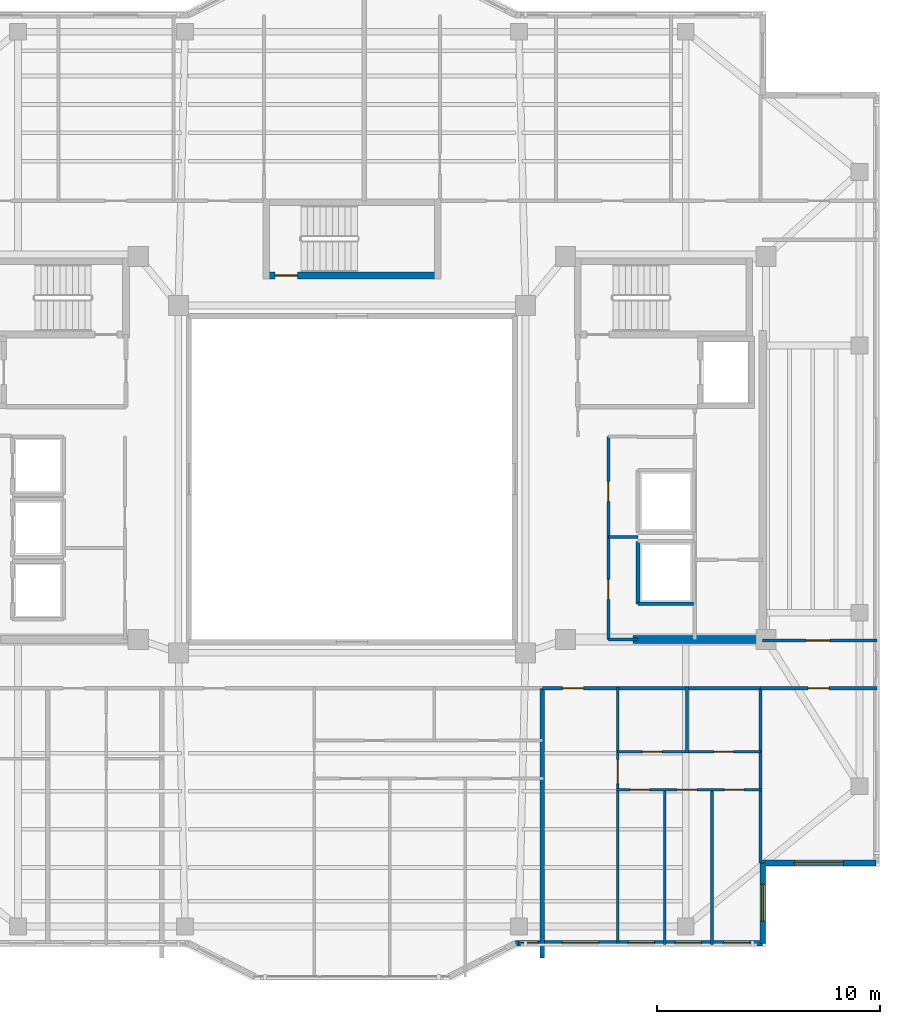
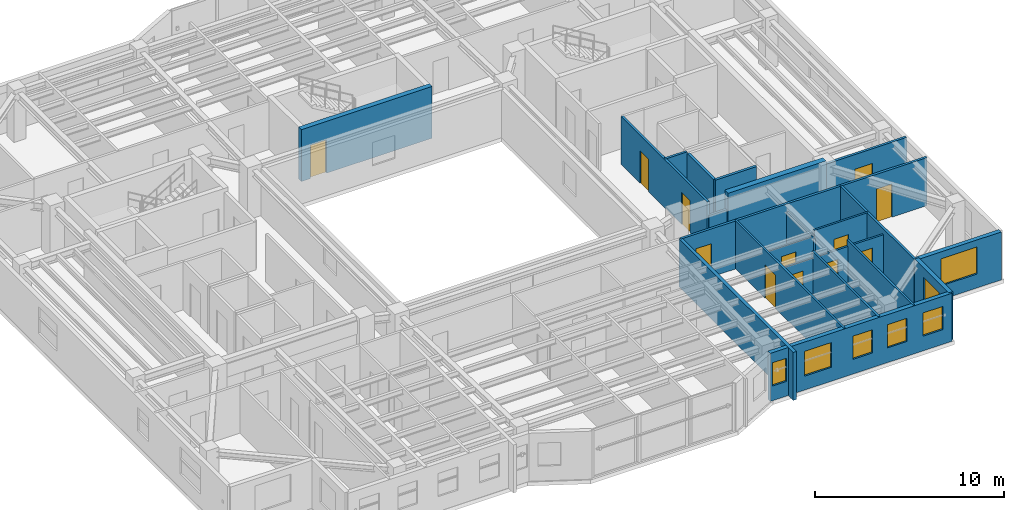
# One storey, part 8 of 14: 22 walls, 12 doors, 7 windows, 19 openings.
"""IFC4 building model written with IfcOpenShell, lengths in metres."""

import ifcopenshell
import ifcopenshell.guid

model = None  # the IFC model being written
_history = None  # IfcOwnerHistory: only IFC2X3 demands one
_inside = {}  # id of a spatial element -> (the spatial element, [elements in it])
_under = {}  # id of a project, library or spatial element -> (it, [spatial elements below it])
_declared = {}  # id of a project -> (the project, [libraries it declares])
_typed = {}  # id of a type object -> (the type object, [elements of that type])
_made_of = {}  # id of a material, layer set ... -> (it, [elements and type objects made of it])


def new_model(schema):
    """Start an empty IFC model of exactly this schema.

    Asked for "IFC4X3", IfcOpenShell would pick the latest addendum, in which some entities
    have other attributes; the version numbers below select the first issue.
    IFC2X3 requires an IfcOwnerHistory on every rooted entity: one is made here for all.
    """
    global model, _history
    if schema == "IFC4X3":
        model = ifcopenshell.file(schema_version=(4, 3, 0, 0))
    else:
        model = ifcopenshell.file(schema=schema)
    _inside.clear()
    _under.clear()
    _declared.clear()
    _typed.clear()
    _made_of.clear()
    _history = None
    if model.schema == "IFC2X3":
        org = make("IfcOrganization", Name="unknown")
        user = make(
            "IfcPersonAndOrganization",
            ThePerson=make("IfcPerson", FamilyName="unknown"),
            TheOrganization=org,
        )
        app = make(
            "IfcApplication",
            ApplicationDeveloper=org,
            Version="unknown",
            ApplicationFullName="unknown",
            ApplicationIdentifier="unknown",
        )
        _history = make(
            "IfcOwnerHistory",
            OwningUser=user,
            OwningApplication=app,
            ChangeAction="ADDED",
            CreationDate=0,
        )
    return model


def make(cls, **values):
    """One entity of the class cls with the attributes given. An attribute that is None is left unset."""
    return model.create_entity(
        cls, **{name: value for name, value in values.items() if value is not None}
    )


def rooted(cls, **values):
    """An entity with a GlobalId (a new one), such as an element, a storey or a relation."""
    return make(cls, GlobalId=ifcopenshell.guid.new(), OwnerHistory=_history, **values)


def si_unit(unit_type, name, prefix=None):
    """IfcSIUnit, for example si_unit("LENGTHUNIT", "METRE", prefix="MILLI")."""
    return make("IfcSIUnit", UnitType=unit_type, Prefix=prefix, Name=name)


def assignment(units):
    """IfcUnitAssignment: the units of a project."""
    return None if units is None else make("IfcUnitAssignment", Units=units)


def point(xyz):
    """IfcCartesianPoint."""
    return None if xyz is None else make("IfcCartesianPoint", Coordinates=xyz)


def direction(xyz):
    """IfcDirection."""
    return None if xyz is None else make("IfcDirection", DirectionRatios=xyz)


def frame(location, z_axis=None, x_axis=None):
    """IfcAxis2Placement3D, a coordinate frame: its origin and axes. An axis left out is left unset."""
    return make(
        "IfcAxis2Placement3D",
        Location=point(location),
        Axis=direction(z_axis),
        RefDirection=direction(x_axis),
    )


def frame_2d(location, x_axis=None):
    """IfcAxis2Placement2D, a coordinate frame in the plane: its origin and x axis."""
    return make(
        "IfcAxis2Placement2D", Location=point(location), RefDirection=direction(x_axis)
    )


def origin():
    """The frame at (0, 0, 0) with its axes left unset."""
    return frame((0.0, 0.0, 0.0))


def place(relative_to, where):
    """IfcLocalPlacement: puts the frame where relative to a parent placement (None: the world)."""
    return make(
        "IfcLocalPlacement", PlacementRelTo=relative_to, RelativePlacement=where
    )


def context(
    kind, dimensions, precision=None, world=None, true_north=None, identifier=None
):
    """IfcGeometricRepresentationContext, for example the 3D "Model" context."""
    return make(
        "IfcGeometricRepresentationContext",
        ContextIdentifier=identifier,
        ContextType=kind,
        CoordinateSpaceDimension=dimensions,
        Precision=precision,
        WorldCoordinateSystem=world,
        TrueNorth=true_north,
    )


def subcontext(parent, identifier, kind, view, scale=None):
    """IfcGeometricRepresentationSubContext, for example "Body" below "Model"."""
    return make(
        "IfcGeometricRepresentationSubContext",
        ContextIdentifier=identifier,
        ContextType=kind,
        ParentContext=parent,
        TargetScale=scale,
        TargetView=view,
    )


def project(units=None, contexts=None):
    """IfcProject with its units and contexts."""
    return rooted(
        "IfcProject",
        Name="project",
        RepresentationContexts=contexts,
        UnitsInContext=assignment(units),
    )


def spatial(cls, under=None, at=None, **own):
    """A site, building, storey or space (cls), placed at a placement, below another one or the project."""
    s = rooted(cls, ObjectPlacement=at, **own)
    if under is not None:
        _under.setdefault(under.id(), (under, []))[1].append(s)
    return s


def profile(cls, at=None, kind="AREA", **sizes):
    """A parametric profile (cls). Its sizes go by their IFC names, for example OverallWidth=200.0."""
    return make(cls, ProfileType=kind, Position=at, **sizes)


def rectangle(**sizes):
    """IfcRectangleProfileDef."""
    return profile("IfcRectangleProfileDef", **sizes)


def extrude(swept, where, along, depth):
    """IfcExtrudedAreaSolid: the profile swept, set in the frame where, extruded along a direction by depth."""
    return make(
        "IfcExtrudedAreaSolid",
        SweptArea=swept,
        Position=where,
        ExtrudedDirection=direction(along),
        Depth=depth,
    )


def shape(context_of_items, identifier, shape_type, items):
    """IfcShapeRepresentation: the items that make up one representation, for example the "Body"."""
    return make(
        "IfcShapeRepresentation",
        ContextOfItems=context_of_items,
        RepresentationIdentifier=identifier,
        RepresentationType=shape_type,
        Items=items,
    )


def material(Name=None, Category=None):
    """IfcMaterial."""
    return make("IfcMaterial", Name=Name, Category=Category)


def layer(
    of_material, thickness, ventilated=None, Name=None, Category=None, Priority=None
):
    """IfcMaterialLayer: one layer of a wall or slab, of a material (None: an air gap)."""
    return make(
        "IfcMaterialLayer",
        Material=of_material,
        LayerThickness=thickness,
        IsVentilated=ventilated,
        Name=Name,
        Category=Category,
        Priority=Priority,
    )


def layer_set(layers, Name=None):
    """IfcMaterialLayerSet."""
    return make("IfcMaterialLayerSet", MaterialLayers=layers, LayerSetName=Name)


def made_of(thing, what):
    """Note that an element or type object is made of a material, layer set ...; save() writes the relation."""
    if what is not None:
        _made_of.setdefault(what.id(), (what, []))[1].append(thing)
    return thing


def type_object(cls, material=None, **own):
    """A type object (cls), such as IfcWallType, which elements share."""
    return made_of(rooted(cls, **own), material)


def element(
    cls,
    number,
    at=None,
    inside=None,
    cuts=None,
    type_object=None,
    material=None,
    context=None,
    identifier="Body",
    shape_type=None,
    held_by="IfcProductDefinitionShape",
    body=None,
    shapes=None,
    **own,
):
    """One element of the class cls, such as IfcWall. Its Tag is "e" and its number.

    at: its placement. inside: the storey or other place that contains it. cuts: it is an
    opening in that element (IfcRelVoidsElement). A single representation is given by context,
    identifier, shape_type and body (its items); several are given by shapes. held_by: the class
    of the entity that holds the representations. save() writes the other relations.
    """
    e = rooted(cls, Tag="e%d" % number, ObjectPlacement=at, **own)
    if body is not None:
        shapes = [shape(context, identifier, shape_type, body)]
    if shapes is not None:
        e.Representation = make(held_by, Representations=shapes)
    if inside is not None:
        _inside.setdefault(inside.id(), (inside, []))[1].append(e)
    if cuts is not None:
        rooted(
            "IfcRelVoidsElement", RelatingBuildingElement=cuts, RelatedOpeningElement=e
        )
    if type_object is not None:
        _typed.setdefault(type_object.id(), (type_object, []))[1].append(e)
    return made_of(e, material)


def fill(opening, filler):
    """IfcRelFillsElement: the door or window that sits in an opening."""
    return rooted(
        "IfcRelFillsElement",
        RelatingOpeningElement=opening,
        RelatedBuildingElement=filler,
    )


def aggregate(whole, parts):
    """IfcRelAggregates: a whole, such as a stair, and the parts it consists of."""
    return rooted("IfcRelAggregates", RelatingObject=whole, RelatedObjects=parts)


def save(model, path):
    """Write the relations noted so far, then the file.

    IfcRelAggregates (storeys below a building ...), IfcRelContainedInSpatialStructure (elements
    in a storey), IfcRelDefinesByType, IfcRelAssociatesMaterial and IfcRelDeclares: one each for
    every whole, place, type object, material and project.
    """
    for whole, parts in _under.values():
        aggregate(whole, parts)
    for where, things in _inside.values():
        rooted(
            "IfcRelContainedInSpatialStructure",
            RelatedElements=things,
            RelatingStructure=where,
        )
    for kind, things in _typed.values():
        rooted("IfcRelDefinesByType", RelatedObjects=things, RelatingType=kind)
    for what, things in _made_of.values():
        rooted("IfcRelAssociatesMaterial", RelatedObjects=things, RelatingMaterial=what)
    for by, libraries in _declared.values():
        rooted("IfcRelDeclares", RelatingContext=by, RelatedDefinitions=libraries)
    model.write(path)


model = new_model("IFC4")

# Units and contexts
model_context = context("Model", 3, precision=1e-05, world=origin(), true_north=direction((0.0, 1.0)))
body_context = subcontext(model_context, "Body", "Model", "MODEL_VIEW")
ifc_project = project(units=[si_unit("LENGTHUNIT", "METRE"), si_unit("AREAUNIT", "SQUARE_METRE"), si_unit("VOLUMEUNIT", "CUBIC_METRE"), si_unit("PLANEANGLEUNIT", "RADIAN"), si_unit("MASSUNIT", "GRAM", prefix="KILO")], contexts=[model_context])

# Site, building, storey
site_placement = place(None, origin())
site = spatial("IfcSite", under=ifc_project, at=site_placement, CompositionType="ELEMENT")
building_placement = place(site_placement, origin())
building = spatial("IfcBuilding", under=site, at=building_placement, Name="Tarnavaz Court Tower", CompositionType="ELEMENT")
storey_placement = place(building_placement, frame((0.0, 0.0, 190.25)))
storey = spatial("IfcBuildingStorey", under=building, at=storey_placement, Name="L51", CompositionType="ELEMENT", Elevation=190.25)

# Wall, opening, door
ifc_material_1 = material(Name="Concrete C50/60", Category="concrete")
ifc_layer_1 = layer(ifc_material_1, 0.300048828125)
ifc_layer_set_1 = layer_set([ifc_layer_1], Name="Concrete C50/60")
wall_type_1 = type_object("IfcWallType", Name="WL-CORE-300-C50", PredefinedType="SHEAR", material=ifc_layer_set_1)
wall_1_placement = place(storey_placement, frame((-4.0, 9.14990234375, 0.0), z_axis=(0.0, 0.0, 1.0), x_axis=(1.0, 0.0, 0.0)))
wall_1 = element("IfcWall", 1, at=wall_1_placement, inside=storey, type_object=wall_type_1, Name="L51 North Stair Core Wall 010", PredefinedType="SHEAR", context=body_context, shape_type="SweptSolid", body=[
    extrude(rectangle(XDim=8.0, YDim=0.300048828125, at=frame_2d((4.0, 0.0))), origin(), (0.0, 0.0, 1.0), 3.35009765625),
])
opening_1_placement = place(wall_1_placement, frame((0.550048828125, 0.0, 0.0)))
opening_1 = element("IfcOpeningElement", 2, at=opening_1_placement, cuts=wall_1, Name="Opening D01", PredefinedType="OPENING", context=body_context, shape_type="SweptSolid", body=[
    extrude(rectangle(XDim=1.0, YDim=2.14990234375, at=frame_2d((0.5, 1.074951171875))), frame((0.0, 0.159912109375, 0.0), z_axis=(0.0, -1.0, 0.0), x_axis=(1.0, 0.0, 0.0)), (0.0, 0.0, 1.0), 0.320068359375),
])
ifc_material_2 = material(Name="Fire-Rated Hardwood Timber Core", Category="wood")
door_type_1 = type_object("IfcDoorType", Name="DR-FD90-1000", OperationType="NOTDEFINED", PredefinedType="DOOR", material=ifc_material_2)
door_1_placement = place(opening_1_placement, origin())
door_1 = element("IfcDoor", 3, at=door_1_placement, inside=storey, type_object=door_type_1, Name="L51 Stair ST-N1 Exit Door", OperationType="SINGLE_SWING_LEFT", OverallHeight=2.14990234375, OverallWidth=1.0, PredefinedType="DOOR", context=body_context, shape_type="SweptSolid", body=[
    extrude(rectangle(XDim=1.0, YDim=2.14990234375, at=frame_2d((0.5, 1.074951171875))), frame((0.0, 0.02490234375, 0.0), z_axis=(0.0, -1.0, 0.0), x_axis=(1.0, 0.0, 0.0)), (0.0, 0.0, 1.0), 0.050048828125),
])
fill(opening_1, door_1)

# Wall
ifc_layer_2 = layer(ifc_material_1, 0.35009765625)
ifc_layer_set_2 = layer_set([ifc_layer_2], Name="Concrete C50/60")
wall_type_2 = type_object("IfcWallType", Name="WL-CORE-350-C50", PredefinedType="SHEAR", material=ifc_layer_set_2)
wall_2_placement = place(storey_placement, frame((12.625, -7.199951171875, 0.0), z_axis=(0.0, 0.0, 1.0), x_axis=(1.0, 0.0, 0.0)))
element("IfcWall", 4, at=wall_2_placement, inside=storey, type_object=wall_type_2, Name="L51 East Core South Shear Wall 048", PredefinedType="SHEAR", context=body_context, shape_type="SweptSolid", body=[
    extrude(rectangle(XDim=6.0, YDim=0.35009765625, at=frame_2d((3.0, 0.0))), origin(), (0.0, 0.0, 1.0), 3.35009765625),
])

# Wall, opening, window
ifc_material_3 = material(Name="Precast Concrete C40/50", Category="concrete")
ifc_layer_3 = layer(ifc_material_3, 0.260009765625)
ifc_layer_set_3 = layer_set([ifc_layer_3], Name="Precast Concrete C40/50")
wall_type_3 = type_object("IfcWallType", Name="WL-EXT-260", PredefinedType="SOLIDWALL", material=ifc_layer_set_3)
wall_3_placement = place(storey_placement, frame((23.550048828125, -17.25, 0.0), z_axis=(0.0, 0.0, 1.0), x_axis=(-1.0, 0.0, 0.0)))
wall_3 = element("IfcWall", 5, at=wall_3_placement, inside=storey, type_object=wall_type_3, Name="L51 Exterior Terracotta Facade Wall 13", PredefinedType="SOLIDWALL", context=body_context, shape_type="SweptSolid", body=[
    extrude(rectangle(XDim=5.10009765625, YDim=0.260009765625, at=frame_2d((2.550048828125, 0.0))), origin(), (0.0, 0.0, 1.0), 3.10009765625),
])
opening_2_placement = place(wall_3_placement, frame((1.47509765625, 0.0, 0.89990234375)))
opening_2 = element("IfcOpeningElement", 6, at=opening_2_placement, cuts=wall_3, Name="Opening W07", PredefinedType="OPENING", context=body_context, shape_type="SweptSolid", body=[
    extrude(rectangle(XDim=2.199951171875, YDim=1.75, at=frame_2d((1.10009765625, 0.875))), frame((0.0, 0.139892578125, 0.0), z_axis=(0.0, -1.0, 0.0), x_axis=(1.0, 0.0, 0.0)), (0.0, 0.0, 1.0), 0.280029296875),
])
ifc_material_4 = material(Name="Double-Glazed Solar Low-E Glass", Category="glass")
window_type_1 = type_object("IfcWindowType", Name="WN-APT-2200", PartitioningType="TRIPLE_PANEL_VERTICAL", PredefinedType="WINDOW", material=ifc_material_4)
window_1_placement = place(opening_2_placement, origin())
window_1 = element("IfcWindow", 7, at=window_1_placement, inside=storey, type_object=window_type_1, Name="L51 South-East Corner Reading Room Window", OverallHeight=1.75, OverallWidth=2.199951171875, PartitioningType="SINGLE_PANEL", PredefinedType="WINDOW", context=body_context, shape_type="SweptSolid", body=[
    extrude(rectangle(XDim=2.199951171875, YDim=1.75, at=frame_2d((1.10009765625, 0.875))), frame((0.0, 0.030029296875, 0.0), z_axis=(0.0, -1.0, 0.0), x_axis=(1.0, 0.0, 0.0)), (0.0, 0.0, 1.0), 0.06005859375),
])
fill(opening_2, window_1)

wall_4_placement = place(storey_placement, frame((18.449951171875, -17.25, 0.0), z_axis=(0.0, 0.0, 1.0), x_axis=(0.0, -1.0, 0.0)))
wall_4 = element("IfcWall", 8, at=wall_4_placement, inside=storey, type_object=wall_type_3, Name="L51 Exterior Terracotta Facade Wall 14", PredefinedType="SOLIDWALL", context=body_context, shape_type="SweptSolid", body=[
    extrude(rectangle(XDim=3.60009765625, YDim=0.260009765625, at=frame_2d((1.800048828125, 0.0))), origin(), (0.0, 0.0, 1.0), 3.10009765625),
])
opening_3_placement = place(wall_4_placement, frame((0.95751953125, 0.0, 0.89990234375)))
opening_3 = element("IfcOpeningElement", 9, at=opening_3_placement, cuts=wall_4, Name="Opening W02", PredefinedType="OPENING", context=body_context, shape_type="SweptSolid", body=[
    extrude(rectangle(XDim=1.64990234375, YDim=1.60009765625, at=frame_2d((0.824951171875, 0.800048828125))), frame((0.0, 0.139892578125, 0.0), z_axis=(0.0, -1.0, 0.0), x_axis=(1.0, 0.0, 0.0)), (0.0, 0.0, 1.0), 0.280029296875),
])
window_type_2 = type_object("IfcWindowType", Name="WN-APT-1650", PartitioningType="DOUBLE_PANEL_VERTICAL", PredefinedType="WINDOW", material=ifc_material_4)
window_2_placement = place(opening_3_placement, origin())
window_2 = element("IfcWindow", 10, at=window_2_placement, inside=storey, type_object=window_type_2, Name="L51 Flat 03 Bedroom 3 Window", OverallHeight=1.60009765625, OverallWidth=1.64990234375, PartitioningType="SINGLE_PANEL", PredefinedType="WINDOW", context=body_context, shape_type="SweptSolid", body=[
    extrude(rectangle(XDim=1.64990234375, YDim=1.60009765625, at=frame_2d((0.824951171875, 0.800048828125))), frame((0.0, 0.030029296875, 0.0), z_axis=(0.0, -1.0, 0.0), x_axis=(1.0, 0.0, 0.0)), (0.0, 0.0, 1.0), 0.06005859375),
])
fill(opening_3, window_2)

# Wall, openings, windows
wall_5_placement = place(storey_placement, frame((18.449951171875, -20.85009765625, 0.0), z_axis=(0.0, 0.0, 1.0), x_axis=(-1.0, 0.0, 0.0)))
wall_5 = element("IfcWall", 11, at=wall_5_placement, inside=storey, type_object=wall_type_3, Name="L51 Exterior Terracotta Facade Wall 15", PredefinedType="SOLIDWALL", context=body_context, shape_type="SweptSolid", body=[
    extrude(rectangle(XDim=11.099853515625, YDim=0.260009765625, at=frame_2d((5.5498046875, 0.0))), origin(), (0.0, 0.0, 1.0), 3.10009765625),
])
opening_4_placement = place(wall_5_placement, frame((0.56005859375, 0.0, 0.949951171875)))
opening_4 = element("IfcOpeningElement", 12, at=opening_4_placement, cuts=wall_5, Name="Opening W05", PredefinedType="OPENING", context=body_context, shape_type="SweptSolid", body=[
    extrude(rectangle(XDim=1.199951171875, YDim=1.5, at=frame_2d((0.60009765625, 0.75))), frame((0.0, 0.139892578125, 0.0), z_axis=(0.0, -1.0, 0.0), x_axis=(1.0, 0.0, 0.0)), (0.0, 0.0, 1.0), 0.280029296875),
])
opening_5_placement = place(wall_5_placement, frame((2.738037109375, 0.0, 0.949951171875)))
opening_5 = element("IfcOpeningElement", 13, at=opening_5_placement, cuts=wall_5, Name="Opening W05", PredefinedType="OPENING", context=body_context, shape_type="SweptSolid", body=[
    extrude(rectangle(XDim=1.199951171875, YDim=1.5, at=frame_2d((0.60009765625, 0.75))), frame((0.0, 0.139892578125, 0.0), z_axis=(0.0, -1.0, 0.0), x_axis=(1.0, 0.0, 0.0)), (0.0, 0.0, 1.0), 0.280029296875),
])
opening_6_placement = place(wall_5_placement, frame((4.8564453125, 0.0, 0.949951171875)))
opening_6 = element("IfcOpeningElement", 14, at=opening_6_placement, cuts=wall_5, Name="Opening W05", PredefinedType="OPENING", context=body_context, shape_type="SweptSolid", body=[
    extrude(rectangle(XDim=1.199951171875, YDim=1.5, at=frame_2d((0.60009765625, 0.75))), frame((0.0, 0.139892578125, 0.0), z_axis=(0.0, -1.0, 0.0), x_axis=(1.0, 0.0, 0.0)), (0.0, 0.0, 1.0), 0.280029296875),
])
opening_7_placement = place(wall_5_placement, frame((7.36181640625, 0.0, 0.89990234375)))
opening_7 = element("IfcOpeningElement", 15, at=opening_7_placement, cuts=wall_5, Name="Opening W02", PredefinedType="OPENING", context=body_context, shape_type="SweptSolid", body=[
    extrude(rectangle(XDim=1.64990234375, YDim=1.60009765625, at=frame_2d((0.824951171875, 0.800048828125))), frame((0.0, 0.139892578125, 0.0), z_axis=(0.0, -1.0, 0.0), x_axis=(1.0, 0.0, 0.0)), (0.0, 0.0, 1.0), 0.280029296875),
])
opening_8_placement = place(wall_5_placement, frame((10.1025390625, 0.0, 0.949951171875)))
opening_8 = element("IfcOpeningElement", 16, at=opening_8_placement, cuts=wall_5, Name="Opening W15", PredefinedType="OPENING", context=body_context, shape_type="SweptSolid", body=[
    extrude(rectangle(XDim=0.85009765625, YDim=1.5, at=frame_2d((0.425048828125, 0.75))), frame((0.0, 0.139892578125, 0.0), z_axis=(0.0, -1.0, 0.0), x_axis=(1.0, 0.0, 0.0)), (0.0, 0.0, 1.0), 0.280029296875),
])
window_type_3 = type_object("IfcWindowType", Name="WN-APT-1200", PartitioningType="SINGLE_PANEL", PredefinedType="WINDOW", material=ifc_material_4)
window_3_placement = place(opening_4_placement, origin())
window_3 = element("IfcWindow", 17, at=window_3_placement, inside=storey, type_object=window_type_3, Name="L51 Flat 03 Bedroom 3 Window", OverallHeight=1.5, OverallWidth=1.199951171875, PartitioningType="SINGLE_PANEL", PredefinedType="WINDOW", context=body_context, shape_type="SweptSolid", body=[
    extrude(rectangle(XDim=1.199951171875, YDim=1.5, at=frame_2d((0.60009765625, 0.75))), frame((0.0, 0.030029296875, 0.0), z_axis=(0.0, -1.0, 0.0), x_axis=(1.0, 0.0, 0.0)), (0.0, 0.0, 1.0), 0.06005859375),
])
fill(opening_4, window_3)
window_4_placement = place(opening_5_placement, origin())
window_4 = element("IfcWindow", 18, at=window_4_placement, inside=storey, type_object=window_type_3, Name="L51 Flat 03 Bedroom 2 Window", OverallHeight=1.5, OverallWidth=1.199951171875, PartitioningType="SINGLE_PANEL", PredefinedType="WINDOW", context=body_context, shape_type="SweptSolid", body=[
    extrude(rectangle(XDim=1.199951171875, YDim=1.5, at=frame_2d((0.60009765625, 0.75))), frame((0.0, 0.030029296875, 0.0), z_axis=(0.0, -1.0, 0.0), x_axis=(1.0, 0.0, 0.0)), (0.0, 0.0, 1.0), 0.06005859375),
])
fill(opening_5, window_4)
window_5_placement = place(opening_6_placement, origin())
window_5 = element("IfcWindow", 19, at=window_5_placement, inside=storey, type_object=window_type_3, Name="L51 Flat 03 Principal Bedroom Window", OverallHeight=1.5, OverallWidth=1.199951171875, PartitioningType="SINGLE_PANEL", PredefinedType="WINDOW", context=body_context, shape_type="SweptSolid", body=[
    extrude(rectangle(XDim=1.199951171875, YDim=1.5, at=frame_2d((0.60009765625, 0.75))), frame((0.0, 0.030029296875, 0.0), z_axis=(0.0, -1.0, 0.0), x_axis=(1.0, 0.0, 0.0)), (0.0, 0.0, 1.0), 0.06005859375),
])
fill(opening_6, window_5)
window_6_placement = place(opening_7_placement, origin())
window_6 = element("IfcWindow", 20, at=window_6_placement, inside=storey, type_object=window_type_2, Name="L51 Flat 03 Living and Dining Room Window", OverallHeight=1.60009765625, OverallWidth=1.64990234375, PartitioningType="SINGLE_PANEL", PredefinedType="WINDOW", context=body_context, shape_type="SweptSolid", body=[
    extrude(rectangle(XDim=1.64990234375, YDim=1.60009765625, at=frame_2d((0.824951171875, 0.800048828125))), frame((0.0, 0.030029296875, 0.0), z_axis=(0.0, -1.0, 0.0), x_axis=(1.0, 0.0, 0.0)), (0.0, 0.0, 1.0), 0.06005859375),
])
fill(opening_7, window_6)
window_type_4 = type_object("IfcWindowType", Name="WN-APT-850", PartitioningType="SINGLE_PANEL", PredefinedType="WINDOW", material=ifc_material_4)
window_7_placement = place(opening_8_placement, origin())
window_7 = element("IfcWindow", 21, at=window_7_placement, inside=storey, type_object=window_type_4, Name="L51 Flat 04 Bedroom 3 Window", OverallHeight=1.5, OverallWidth=0.85009765625, PartitioningType="SINGLE_PANEL", PredefinedType="WINDOW", context=body_context, shape_type="SweptSolid", body=[
    extrude(rectangle(XDim=0.85009765625, YDim=1.5, at=frame_2d((0.425048828125, 0.75))), frame((0.0, 0.030029296875, 0.0), z_axis=(0.0, -1.0, 0.0), x_axis=(1.0, 0.0, 0.0)), (0.0, 0.0, 1.0), 0.06005859375),
])
fill(opening_8, window_7)

# Wall, opening, door
ifc_material_5 = material(Name="Gypsum Fire-Board on Acoustic Metal Stud", Category="masonry")
ifc_layer_4 = layer(ifc_material_5, 0.14990234375)
ifc_layer_set_4 = layer_set([ifc_layer_4], Name="Gypsum Fire-Board on Acoustic Metal Stud")
wall_type_4 = type_object("IfcWallType", Name="WL-FIRE-150", PredefinedType="PARTITIONING", material=ifc_layer_set_4)
wall_6_placement = place(storey_placement, frame((8.550048828125, -9.39990234375, 0.0), z_axis=(0.0, 0.0, 1.0), x_axis=(1.0, 0.0, 0.0)))
wall_6 = element("IfcWall", 22, at=wall_6_placement, inside=storey, type_object=wall_type_4, Name="L51 SE Lobby Wall 063", PredefinedType="PARTITIONING", context=body_context, shape_type="SweptSolid", body=[
    extrude(rectangle(XDim=9.800048828125, YDim=0.14990234375, at=frame_2d((4.89990234375, 0.0))), origin(), (0.0, 0.0, 1.0), 3.10009765625),
])
opening_9_placement = place(wall_6_placement, frame((0.89990234375, 0.0, 0.0)))
opening_9 = element("IfcOpeningElement", 23, at=opening_9_placement, cuts=wall_6, Name="Opening D06", PredefinedType="OPENING", context=body_context, shape_type="SweptSolid", body=[
    extrude(rectangle(XDim=0.9599609375, YDim=2.14990234375, at=frame_2d((0.47998046875, 1.074951171875))), frame((0.0, 0.0849609375, 0.0), z_axis=(0.0, -1.0, 0.0), x_axis=(1.0, 0.0, 0.0)), (0.0, 0.0, 1.0), 0.169921875),
])
door_type_2 = type_object("IfcDoorType", Name="DR-FD60-950", OperationType="NOTDEFINED", PredefinedType="DOOR", material=ifc_material_2)
door_2_placement = place(opening_9_placement, origin())
door_2 = element("IfcDoor", 24, at=door_2_placement, inside=storey, type_object=door_type_2, Name="L51 Flat 03 Entrance Door", OperationType="SINGLE_SWING_RIGHT", OverallHeight=2.14990234375, OverallWidth=0.9599609375, PredefinedType="DOOR", context=body_context, shape_type="SweptSolid", body=[
    extrude(rectangle(XDim=0.9599609375, YDim=2.14990234375, at=frame_2d((0.47998046875, 1.074951171875))), frame((0.0, 0.02490234375, 0.0), z_axis=(0.0, -1.0, 0.0), x_axis=(1.0, 0.0, 0.0)), (0.0, 0.0, 1.0), 0.050048828125),
])
fill(opening_9, door_2)

wall_7_placement = place(storey_placement, frame((18.449951171875, -7.25, 0.0), z_axis=(0.0, 0.0, 1.0), x_axis=(1.0, 0.0, 0.0)))
wall_7 = element("IfcWall", 25, at=wall_7_placement, inside=storey, type_object=wall_type_4, Name="L51 Interior Partition 097", PredefinedType="PARTITIONING", context=body_context, shape_type="SweptSolid", body=[
    extrude(rectangle(XDim=5.130126953125, YDim=0.14990234375, at=frame_2d((2.56494140625, 0.0))), origin(), (0.0, 0.0, 1.0), 3.10009765625),
])
opening_10_placement = place(wall_7_placement, frame((1.949951171875, 0.0, 0.0)))
opening_10 = element("IfcOpeningElement", 26, at=opening_10_placement, cuts=wall_7, Name="Opening D12", PredefinedType="OPENING", context=body_context, shape_type="SweptSolid", body=[
    extrude(rectangle(XDim=1.080078125, YDim=2.14990234375, at=frame_2d((0.5400390625, 1.074951171875))), frame((0.0, 0.0849609375, 0.0), z_axis=(0.0, -1.0, 0.0), x_axis=(1.0, 0.0, 0.0)), (0.0, 0.0, 1.0), 0.169921875),
])
ifc_material_6 = material(Name="Engineered Oak Timber", Category="wood")
door_type_3 = type_object("IfcDoorType", Name="DR-INT-1100", OperationType="NOTDEFINED", PredefinedType="DOOR", material=ifc_material_6)
door_3_placement = place(opening_10_placement, origin())
door_3 = element("IfcDoor", 27, at=door_3_placement, inside=storey, type_object=door_type_3, Name="L51 East Daycare Playroom Door", OperationType="SINGLE_SWING_LEFT", OverallHeight=2.14990234375, OverallWidth=1.080078125, PredefinedType="DOOR", context=body_context, shape_type="SweptSolid", body=[
    extrude(rectangle(XDim=1.080078125, YDim=2.14990234375, at=frame_2d((0.5400390625, 1.074951171875))), frame((0.0, 0.02490234375, 0.0), z_axis=(0.0, -1.0, 0.0), x_axis=(1.0, 0.0, 0.0)), (0.0, 0.0, 1.0), 0.050048828125),
])
fill(opening_10, door_3)

wall_8_placement = place(storey_placement, frame((18.35009765625, -9.39990234375, 0.0), z_axis=(0.0, 0.0, 1.0), x_axis=(1.0, 0.0, 0.0)))
wall_8 = element("IfcWall", 28, at=wall_8_placement, inside=storey, type_object=wall_type_4, Name="L51 Interior Partition 106", PredefinedType="PARTITIONING", context=body_context, shape_type="SweptSolid", body=[
    extrude(rectangle(XDim=5.22998046875, YDim=0.14990234375, at=frame_2d((2.614990234375, 0.0))), origin(), (0.0, 0.0, 1.0), 3.10009765625),
])
opening_11_placement = place(wall_8_placement, frame((2.139892578125, 0.0, 0.0)))
opening_11 = element("IfcOpeningElement", 29, at=opening_11_placement, cuts=wall_8, Name="Opening D13", PredefinedType="OPENING", context=body_context, shape_type="SweptSolid", body=[
    extrude(rectangle(XDim=0.949951171875, YDim=2.14990234375, at=frame_2d((0.47509765625, 1.074951171875))), frame((0.0, 0.0849609375, 0.0), z_axis=(0.0, -1.0, 0.0), x_axis=(1.0, 0.0, 0.0)), (0.0, 0.0, 1.0), 0.169921875),
])
door_type_4 = type_object("IfcDoorType", Name="DR-INT-950", OperationType="NOTDEFINED", PredefinedType="DOOR", material=ifc_material_6)
door_4_placement = place(opening_11_placement, origin())
door_4 = element("IfcDoor", 30, at=door_4_placement, inside=storey, type_object=door_type_4, Name="L51 SE Reading Room Door", OperationType="SINGLE_SWING_LEFT", OverallHeight=2.14990234375, OverallWidth=0.949951171875, PredefinedType="DOOR", context=body_context, shape_type="SweptSolid", body=[
    extrude(rectangle(XDim=0.949951171875, YDim=2.14990234375, at=frame_2d((0.47509765625, 1.074951171875))), frame((0.0, 0.02490234375, 0.0), z_axis=(0.0, -1.0, 0.0), x_axis=(1.0, 0.0, 0.0)), (0.0, 0.0, 1.0), 0.050048828125),
])
fill(opening_11, door_4)

# Wall
ifc_material_7 = material(Name="Autoclaved Aerated Concrete Blockwork", Category="masonry")
ifc_layer_5 = layer(ifc_material_7, 0.199951171875)
ifc_layer_set_5 = layer_set([ifc_layer_5], Name="Autoclaved Aerated Concrete Blockwork")
wall_type_5 = type_object("IfcWallType", Name="WL-FIRE-200", PredefinedType="SOLIDWALL", material=ifc_layer_set_5)
wall_9_placement = place(storey_placement, frame((8.550048828125, -21.50390625, 0.0), z_axis=(0.0, 0.0, 1.0), x_axis=(0.0, 1.0, 0.0)))
element("IfcWall", 31, at=wall_9_placement, inside=storey, type_object=wall_type_5, Name="L51 Party Wall 086", PredefinedType="SOLIDWALL", context=body_context, shape_type="SweptSolid", body=[
    extrude(rectangle(XDim=12.10400390625, YDim=0.199951171875, at=frame_2d((6.052001953125, 0.0))), origin(), (0.0, 0.0, 1.0), 3.10009765625),
])

# Wall, opening, door
ifc_material_8 = material(Name="Moisture-Resistant Gypsum Board Partition", Category="masonry")
ifc_layer_6 = layer(ifc_material_8, 0.1201171875)
ifc_layer_set_6 = layer_set([ifc_layer_6], Name="Moisture-Resistant Gypsum Board Partition")
wall_type_6 = type_object("IfcWallType", Name="WL-PART-120", PredefinedType="PARTITIONING", material=ifc_layer_set_6)
wall_10_placement = place(storey_placement, frame((11.93408203125, -20.89990234375, 0.0), z_axis=(0.0, 0.0, 1.0), x_axis=(0.0, 1.0, 0.0)))
wall_10 = element("IfcWall", 32, at=wall_10_placement, inside=storey, type_object=wall_type_6, Name="L51 Interior Partition 078", PredefinedType="PARTITIONING", context=body_context, shape_type="SweptSolid", body=[
    extrude(rectangle(XDim=11.559814453125, YDim=0.1201171875, at=frame_2d((5.77978515625, 0.0))), origin(), (0.0, 0.0, 1.0), 3.10009765625),
])
opening_12_placement = place(wall_10_placement, frame((7.22509765625, 0.0, 0.0)))
opening_12 = element("IfcOpeningElement", 33, at=opening_12_placement, cuts=wall_10, Name="Opening D12", PredefinedType="OPENING", context=body_context, shape_type="SweptSolid", body=[
    extrude(rectangle(XDim=1.080078125, YDim=2.14990234375, at=frame_2d((0.5400390625, 1.074951171875))), frame((0.0, 0.070068359375, 0.0), z_axis=(0.0, -1.0, 0.0), x_axis=(1.0, 0.0, 0.0)), (0.0, 0.0, 1.0), 0.14013671875),
])
door_5_placement = place(opening_12_placement, origin())
door_5 = element("IfcDoor", 34, at=door_5_placement, inside=storey, type_object=door_type_3, Name="L51 Flat 03 Foyer Door", OperationType="SINGLE_SWING_LEFT", OverallHeight=2.14990234375, OverallWidth=1.080078125, PredefinedType="DOOR", context=body_context, shape_type="SweptSolid", body=[
    extrude(rectangle(XDim=1.080078125, YDim=2.14990234375, at=frame_2d((0.5400390625, 1.074951171875))), frame((0.0, 0.02490234375, 0.0), z_axis=(0.0, -1.0, 0.0), x_axis=(1.0, 0.0, 0.0)), (0.0, 0.0, 1.0), 0.050048828125),
])
fill(opening_12, door_5)

wall_11_placement = place(storey_placement, frame((11.93408203125, -12.25, 0.0), z_axis=(0.0, 0.0, 1.0), x_axis=(1.0, 0.0, 0.0)))
wall_11 = element("IfcWall", 35, at=wall_11_placement, inside=storey, type_object=wall_type_6, Name="L51 Interior Partition 079", PredefinedType="PARTITIONING", context=body_context, shape_type="SweptSolid", body=[
    extrude(rectangle(XDim=3.114013671875, YDim=0.1201171875, at=frame_2d((1.55712890625, 0.0))), origin(), (0.0, 0.0, 1.0), 2.72509765625),
])
opening_13_placement = place(wall_11_placement, frame((1.116943359375, 0.0, 0.0)))
opening_13 = element("IfcOpeningElement", 36, at=opening_13_placement, cuts=wall_11, Name="Opening D14", PredefinedType="OPENING", context=body_context, shape_type="SweptSolid", body=[
    extrude(rectangle(XDim=0.8798828125, YDim=2.10009765625, at=frame_2d((0.43994140625, 1.050048828125))), frame((0.0, 0.070068359375, 0.0), z_axis=(0.0, -1.0, 0.0), x_axis=(1.0, 0.0, 0.0)), (0.0, 0.0, 1.0), 0.14013671875),
])
door_type_5 = type_object("IfcDoorType", Name="DR-INT-900", OperationType="NOTDEFINED", PredefinedType="DOOR", material=ifc_material_6)
door_6_placement = place(opening_13_placement, origin())
door_6 = element("IfcDoor", 37, at=door_6_placement, inside=storey, type_object=door_type_5, Name="L51 Flat 03 Kitchen Door", OperationType="SINGLE_SWING_RIGHT", OverallHeight=2.10009765625, OverallWidth=0.8798828125, PredefinedType="DOOR", context=body_context, shape_type="SweptSolid", body=[
    extrude(rectangle(XDim=0.8798828125, YDim=2.10009765625, at=frame_2d((0.43994140625, 1.050048828125))), frame((0.0, 0.02490234375, 0.0), z_axis=(0.0, -1.0, 0.0), x_axis=(1.0, 0.0, 0.0)), (0.0, 0.0, 1.0), 0.050048828125),
])
fill(opening_13, door_6)

wall_12_placement = place(storey_placement, frame((15.048095703125, -12.25, 0.0), z_axis=(0.0, 0.0, 1.0), x_axis=(1.0, 0.0, 0.0)))
wall_12 = element("IfcWall", 38, at=wall_12_placement, inside=storey, type_object=wall_type_6, Name="L51 Interior Partition 080", PredefinedType="PARTITIONING", context=body_context, shape_type="SweptSolid", body=[
    extrude(rectangle(XDim=3.302001953125, YDim=0.1201171875, at=frame_2d((1.65087890625, 0.0))), origin(), (0.0, 0.0, 1.0), 3.10009765625),
])
opening_14_placement = place(wall_12_placement, frame((1.2109375, 0.0, 0.0)))
opening_14 = element("IfcOpeningElement", 39, at=opening_14_placement, cuts=wall_12, Name="Opening D14", PredefinedType="OPENING", context=body_context, shape_type="SweptSolid", body=[
    extrude(rectangle(XDim=0.8798828125, YDim=2.10009765625, at=frame_2d((0.43994140625, 1.050048828125))), frame((0.0, 0.070068359375, 0.0), z_axis=(0.0, -1.0, 0.0), x_axis=(1.0, 0.0, 0.0)), (0.0, 0.0, 1.0), 0.14013671875),
])
door_7_placement = place(opening_14_placement, origin())
door_7 = element("IfcDoor", 40, at=door_7_placement, inside=storey, type_object=door_type_5, Name="L51 Flat 03 Bathroom Door", OperationType="SINGLE_SWING_LEFT", OverallHeight=2.10009765625, OverallWidth=0.8798828125, PredefinedType="DOOR", context=body_context, shape_type="SweptSolid", body=[
    extrude(rectangle(XDim=0.8798828125, YDim=2.10009765625, at=frame_2d((0.43994140625, 1.050048828125))), frame((0.0, 0.02490234375, 0.0), z_axis=(0.0, -1.0, 0.0), x_axis=(1.0, 0.0, 0.0)), (0.0, 0.0, 1.0), 0.050048828125),
])
fill(opening_14, door_7)

# Wall, openings, doors
wall_13_placement = place(storey_placement, frame((11.8740234375, -13.9599609375, 0.0), z_axis=(0.0, 0.0, 1.0), x_axis=(1.0, 0.0, 0.0)))
wall_13 = element("IfcWall", 41, at=wall_13_placement, inside=storey, type_object=wall_type_6, Name="L51 Interior Partition 081", PredefinedType="PARTITIONING", context=body_context, shape_type="SweptSolid", body=[
    extrude(rectangle(XDim=6.535888671875, YDim=0.1201171875, at=frame_2d((3.26806640625, 0.0))), origin(), (0.0, 0.0, 1.0), 2.72509765625),
])
opening_15_placement = place(wall_13_placement, frame((0.618896484375, 0.0, 0.0)))
opening_15 = element("IfcOpeningElement", 42, at=opening_15_placement, cuts=wall_13, Name="Opening D14", PredefinedType="OPENING", context=body_context, shape_type="SweptSolid", body=[
    extrude(rectangle(XDim=0.8798828125, YDim=2.10009765625, at=frame_2d((0.43994140625, 1.050048828125))), frame((0.0, 0.070068359375, 0.0), z_axis=(0.0, -1.0, 0.0), x_axis=(1.0, 0.0, 0.0)), (0.0, 0.0, 1.0), 0.14013671875),
])
opening_16_placement = place(wall_13_placement, frame((2.738037109375, 0.0, 0.0)))
opening_16 = element("IfcOpeningElement", 43, at=opening_16_placement, cuts=wall_13, Name="Opening D14", PredefinedType="OPENING", context=body_context, shape_type="SweptSolid", body=[
    extrude(rectangle(XDim=0.8798828125, YDim=2.10009765625, at=frame_2d((0.43994140625, 1.050048828125))), frame((0.0, 0.070068359375, 0.0), z_axis=(0.0, -1.0, 0.0), x_axis=(1.0, 0.0, 0.0)), (0.0, 0.0, 1.0), 0.14013671875),
])
opening_17_placement = place(wall_13_placement, frame((4.85693359375, 0.0, 0.0)))
opening_17 = element("IfcOpeningElement", 44, at=opening_17_placement, cuts=wall_13, Name="Opening D14", PredefinedType="OPENING", context=body_context, shape_type="SweptSolid", body=[
    extrude(rectangle(XDim=0.8798828125, YDim=2.10009765625, at=frame_2d((0.43994140625, 1.050048828125))), frame((0.0, 0.070068359375, 0.0), z_axis=(0.0, -1.0, 0.0), x_axis=(1.0, 0.0, 0.0)), (0.0, 0.0, 1.0), 0.14013671875),
])
door_8_placement = place(opening_15_placement, origin())
door_8 = element("IfcDoor", 45, at=door_8_placement, inside=storey, type_object=door_type_5, Name="L51 Flat 03 Bedroom 1 Door", OperationType="SINGLE_SWING_RIGHT", OverallHeight=2.10009765625, OverallWidth=0.8798828125, PredefinedType="DOOR", context=body_context, shape_type="SweptSolid", body=[
    extrude(rectangle(XDim=0.8798828125, YDim=2.10009765625, at=frame_2d((0.43994140625, 1.050048828125))), frame((0.0, 0.02490234375, 0.0), z_axis=(0.0, -1.0, 0.0), x_axis=(1.0, 0.0, 0.0)), (0.0, 0.0, 1.0), 0.050048828125),
])
fill(opening_15, door_8)
door_9_placement = place(opening_16_placement, origin())
door_9 = element("IfcDoor", 46, at=door_9_placement, inside=storey, type_object=door_type_5, Name="L51 Flat 03 Bedroom 2 Door", OperationType="SINGLE_SWING_LEFT", OverallHeight=2.10009765625, OverallWidth=0.8798828125, PredefinedType="DOOR", context=body_context, shape_type="SweptSolid", body=[
    extrude(rectangle(XDim=0.8798828125, YDim=2.10009765625, at=frame_2d((0.43994140625, 1.050048828125))), frame((0.0, 0.02490234375, 0.0), z_axis=(0.0, -1.0, 0.0), x_axis=(1.0, 0.0, 0.0)), (0.0, 0.0, 1.0), 0.050048828125),
])
fill(opening_16, door_9)
door_10_placement = place(opening_17_placement, origin())
door_10 = element("IfcDoor", 47, at=door_10_placement, inside=storey, type_object=door_type_5, Name="L51 Flat 03 Bedroom 3 Door", OperationType="SINGLE_SWING_RIGHT", OverallHeight=2.10009765625, OverallWidth=0.8798828125, PredefinedType="DOOR", context=body_context, shape_type="SweptSolid", body=[
    extrude(rectangle(XDim=0.8798828125, YDim=2.10009765625, at=frame_2d((0.43994140625, 1.050048828125))), frame((0.0, 0.02490234375, 0.0), z_axis=(0.0, -1.0, 0.0), x_axis=(1.0, 0.0, 0.0)), (0.0, 0.0, 1.0), 0.050048828125),
])
fill(opening_17, door_10)

# Walls
wall_14_placement = place(storey_placement, frame((15.048095703125, -12.31005859375, 0.0), z_axis=(0.0, 0.0, 1.0), x_axis=(0.0, 1.0, 0.0)))
element("IfcWall", 48, at=wall_14_placement, inside=storey, type_object=wall_type_6, Name="L51 Interior Partition 082", PredefinedType="PARTITIONING", context=body_context, shape_type="SweptSolid", body=[
    extrude(rectangle(XDim=2.969970703125, YDim=0.1201171875, at=frame_2d((1.48486328125, 0.0))), origin(), (0.0, 0.0, 1.0), 2.5849609375),
])
for number, where, z_axis, x_axis, name in (
    (49, (14.052978515625, -20.89990234375, 0.0), (0.0, 0.0, 1.0), (0.0, 1.0, 0.0), "L51 Interior Partition 083"),
    (50, (16.1708984375, -20.89990234375, 0.0), (0.0, 0.0, 1.0), (0.0, 1.0, 0.0), "L51 Interior Partition 084"),
):
    element("IfcWall", number, at=place(storey_placement, frame(where, z_axis=z_axis, x_axis=x_axis)), inside=storey, type_object=wall_type_6, Name=name, PredefinedType="PARTITIONING", context=body_context, shape_type="SweptSolid", body=[
        extrude(rectangle(XDim=7.0, YDim=0.1201171875, at=frame_2d((3.5, 0.0))), origin(), (0.0, 0.0, 1.0), 3.10009765625),
    ])

# Wall, openings, doors
ifc_material_9 = material(Name="Gypsum Plasterboard Acoustic Partition", Category="masonry")
ifc_layer_7 = layer(ifc_material_9, 0.139892578125)
ifc_layer_set_7 = layer_set([ifc_layer_7], Name="Gypsum Plasterboard Acoustic Partition")
wall_type_7 = type_object("IfcWallType", Name="WL-PART-150", PredefinedType="PARTITIONING", material=ifc_layer_set_7)
wall_15_placement = place(storey_placement, frame((11.52001953125, -7.199951171875, 0.0), z_axis=(0.0, 0.0, 1.0), x_axis=(0.0, 1.0, 0.0)))
wall_15 = element("IfcWall", 51, at=wall_15_placement, inside=storey, type_object=wall_type_7, Name="L51 Interior Partition 056", PredefinedType="PARTITIONING", context=body_context, shape_type="SweptSolid", body=[
    extrude(rectangle(XDim=9.119873046875, YDim=0.139892578125, at=frame_2d((4.56005859375, 0.0))), origin(), (0.0, 0.0, 1.0), 3.10009765625),
])
opening_18_placement = place(wall_15_placement, frame((1.800048828125, 0.0, 0.0)))
opening_18 = element("IfcOpeningElement", 52, at=opening_18_placement, cuts=wall_15, Name="Opening D09", PredefinedType="OPENING", context=body_context, shape_type="SweptSolid", body=[
    extrude(rectangle(XDim=0.89990234375, YDim=2.080078125, at=frame_2d((0.449951171875, 1.0400390625))), frame((0.0, 0.079833984375, 0.0), z_axis=(0.0, -1.0, 0.0), x_axis=(1.0, 0.0, 0.0)), (0.0, 0.0, 1.0), 0.159912109375),
])
opening_19_placement = place(wall_15_placement, frame((6.199951171875, 0.0, 0.0)))
opening_19 = element("IfcOpeningElement", 53, at=opening_19_placement, cuts=wall_15, Name="Opening D09", PredefinedType="OPENING", context=body_context, shape_type="SweptSolid", body=[
    extrude(rectangle(XDim=0.89990234375, YDim=2.080078125, at=frame_2d((0.449951171875, 1.0400390625))), frame((0.0, 0.079833984375, 0.0), z_axis=(0.0, -1.0, 0.0), x_axis=(1.0, 0.0, 0.0)), (0.0, 0.0, 1.0), 0.159912109375),
])
door_type_6 = type_object("IfcDoorType", Name="DR-FD30-900", OperationType="NOTDEFINED", PredefinedType="DOOR", material=ifc_material_2)
door_11_placement = place(opening_18_placement, origin())
door_11 = element("IfcDoor", 54, at=door_11_placement, inside=storey, type_object=door_type_6, Name="L51 East Sky Housekeeping Door", OperationType="SINGLE_SWING_RIGHT", OverallHeight=2.080078125, OverallWidth=0.89990234375, PredefinedType="DOOR", context=body_context, shape_type="SweptSolid", body=[
    extrude(rectangle(XDim=0.89990234375, YDim=2.080078125, at=frame_2d((0.449951171875, 1.0400390625))), frame((0.0, 0.02490234375, 0.0), z_axis=(0.0, -1.0, 0.0), x_axis=(1.0, 0.0, 0.0)), (0.0, 0.0, 1.0), 0.050048828125),
])
fill(opening_18, door_11)
door_12_placement = place(opening_19_placement, origin())
door_12 = element("IfcDoor", 55, at=door_12_placement, inside=storey, type_object=door_type_6, Name="L51 East Sky Meter Room Door", OperationType="SINGLE_SWING_LEFT", OverallHeight=2.080078125, OverallWidth=0.89990234375, PredefinedType="DOOR", context=body_context, shape_type="SweptSolid", body=[
    extrude(rectangle(XDim=0.89990234375, YDim=2.080078125, at=frame_2d((0.449951171875, 1.0400390625))), frame((0.0, 0.02490234375, 0.0), z_axis=(0.0, -1.0, 0.0), x_axis=(1.0, 0.0, 0.0)), (0.0, 0.0, 1.0), 0.050048828125),
])
fill(opening_19, door_12)

# Walls
wall_16_placement = place(storey_placement, frame((11.52001953125, -7.199951171875, 0.0), z_axis=(0.0, 0.0, 1.0), x_axis=(1.0, 0.0, 0.0)))
element("IfcWall", 56, at=wall_16_placement, inside=storey, type_object=wall_type_7, Name="L51 Interior Partition 058", PredefinedType="PARTITIONING", context=body_context, shape_type="SweptSolid", body=[
    extrude(rectangle(XDim=1.330078125, YDim=0.139892578125, at=frame_2d((0.6650390625, 0.0))), origin(), (0.0, 0.0, 1.0), 2.235107421875),
])
wall_17_placement = place(storey_placement, frame((11.52001953125, -2.60009765625, 0.0), z_axis=(0.0, 0.0, 1.0), x_axis=(1.0, 0.0, 0.0)))
element("IfcWall", 57, at=wall_17_placement, inside=storey, type_object=wall_type_7, Name="L51 Interior Partition 059", PredefinedType="PARTITIONING", context=body_context, shape_type="SweptSolid", body=[
    extrude(rectangle(XDim=1.330078125, YDim=0.139892578125, at=frame_2d((0.6650390625, 0.0))), origin(), (0.0, 0.0, 1.0), 3.10009765625),
])
wall_18_placement = place(storey_placement, frame((18.35009765625, -17.25, 0.0), z_axis=(0.0, 0.0, 1.0), x_axis=(0.0, 1.0, 0.0)))
element("IfcWall", 58, at=wall_18_placement, inside=storey, type_object=wall_type_7, Name="L51 Interior Partition 100", PredefinedType="PARTITIONING", context=body_context, shape_type="SweptSolid", body=[
    extrude(rectangle(XDim=7.85009765625, YDim=0.139892578125, at=frame_2d((3.925048828125, 0.0))), origin(), (0.0, 0.0, 1.0), 3.10009765625),
])
ifc_layer_8 = layer(ifc_material_7, 0.159912109375)
ifc_layer_set_8 = layer_set([ifc_layer_8], Name="Autoclaved Aerated Concrete Blockwork")
wall_type_8 = type_object("IfcWallType", Name="WL-SHAFT-150", PredefinedType="SOLIDWALL", material=ifc_layer_set_8)
wall_19_placement = place(storey_placement, frame((12.85009765625, -5.60009765625, 0.0), z_axis=(0.0, 0.0, 1.0), x_axis=(0.0, 1.0, 0.0)))
element("IfcWall", 59, at=wall_19_placement, inside=storey, type_object=wall_type_8, Name="L51 Lift PL-OB1 Shaft Wall 037", PredefinedType="SOLIDWALL", context=body_context, shape_type="SweptSolid", body=[
    extrude(rectangle(XDim=2.800048828125, YDim=0.159912109375, at=frame_2d((1.39990234375, 0.0))), origin(), (0.0, 0.0, 1.0), 3.10009765625),
])
wall_20_placement = place(storey_placement, frame((12.85009765625, -5.60009765625, 0.0), z_axis=(0.0, 0.0, 1.0), x_axis=(1.0, 0.0, 0.0)))
element("IfcWall", 60, at=wall_20_placement, inside=storey, type_object=wall_type_8, Name="L51 Lift PL-OB1 Shaft Wall 039", PredefinedType="SOLIDWALL", context=body_context, shape_type="SweptSolid", body=[
    extrude(rectangle(XDim=2.5, YDim=0.159912109375, at=frame_2d((1.25, 0.0))), origin(), (0.0, 0.0, 1.0), 3.10009765625),
])

save(model, "model.ifc")
